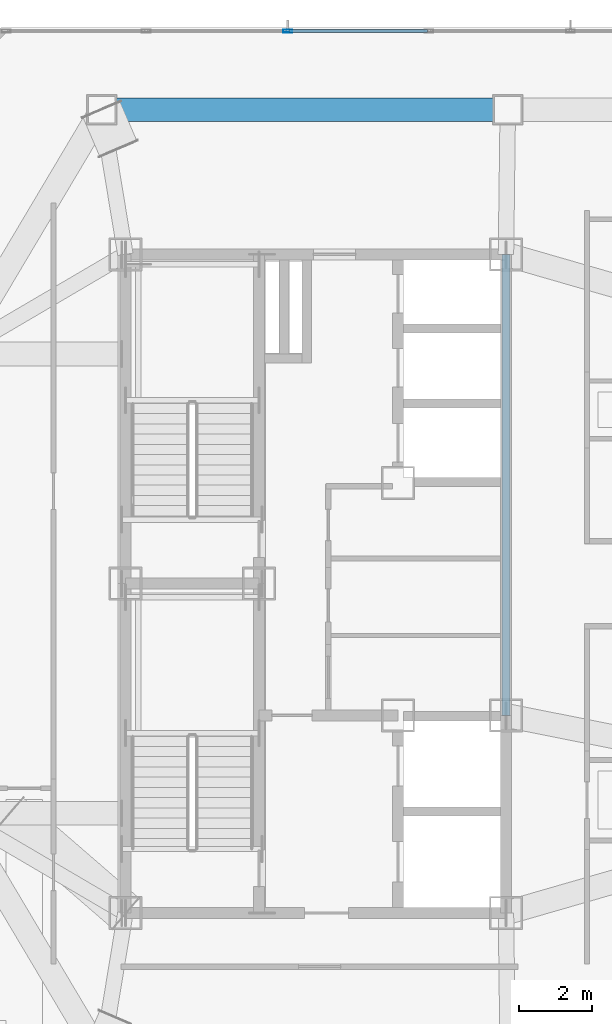
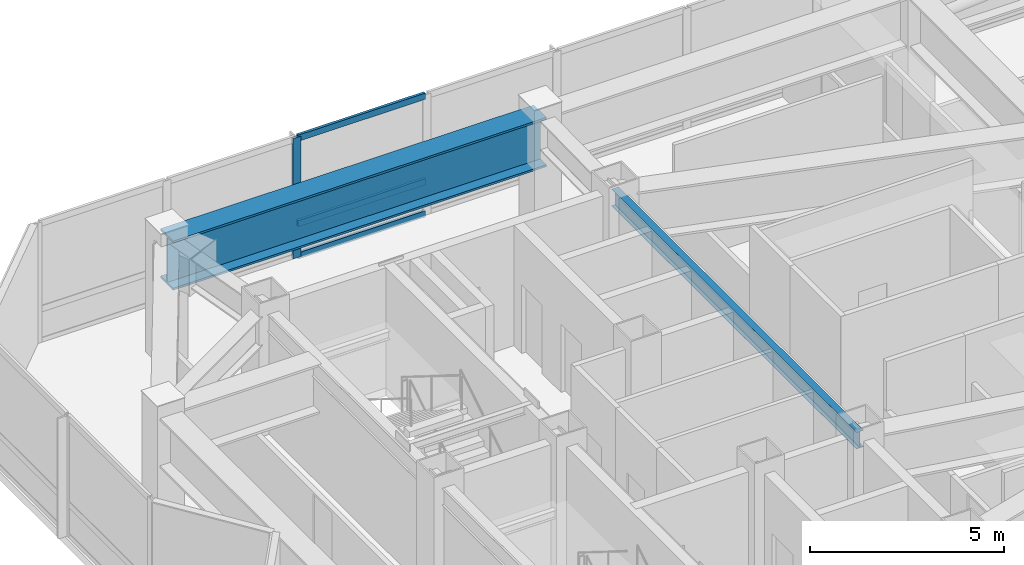
# One storey, part 3 of 16: 4 members, 2 beams, 1 element without a shape of its own.
"""IFC4 building model written with IfcOpenShell, lengths in metres."""

from ifc_helpers import new_model, si_unit, direction, frame, origin, origin_2d, place, context, subcontext, project, spatial, hollow_rectangle, i_section, extrude, material, material_profile, profile_set, type_object, element, aggregate, save


model = new_model("IFC4")

# Units and contexts
model_context = context("Model", 3, precision=1e-05, world=origin(), true_north=direction((0.0, 1.0)))
body_context = subcontext(model_context, "Body", "Model", "MODEL_VIEW")
ifc_project = project(units=[si_unit("LENGTHUNIT", "METRE"), si_unit("AREAUNIT", "SQUARE_METRE"), si_unit("VOLUMEUNIT", "CUBIC_METRE"), si_unit("PLANEANGLEUNIT", "RADIAN"), si_unit("MASSUNIT", "GRAM", prefix="KILO")], contexts=[model_context])

# Site, building, storey
site_placement = place(None, origin())
site = spatial("IfcSite", under=ifc_project, at=site_placement, CompositionType="ELEMENT")
building_placement = place(site_placement, origin())
building = spatial("IfcBuilding", under=site, at=building_placement, Name="Khamvora Tower", CompositionType="ELEMENT")
storey_placement = place(building_placement, frame((0.0, 0.0, 273.64990234375)))
storey = spatial("IfcBuildingStorey", under=building, at=storey_placement, Name="L70", CompositionType="ELEMENT", Elevation=273.64990234375)

# Beams
ifc_material_1 = material(Name="Steel S355", Category="steel")
ifc_material_profile_1 = material_profile(ifc_material_1, i_section(OverallWidth=0.208984375, OverallDepth=0.532958984375, WebThickness=0.010009765625, FlangeThickness=0.01611328125, FilletRadius=0.013916015625, at=origin_2d()), Name="W530x92")
ifc_profile_set_1 = profile_set([ifc_material_profile_1], Name="Steel S355")
beam_type_1 = type_object("IfcBeamType", Name="BM-SP-W530x92", PredefinedType="SPANDREL", material=ifc_profile_set_1)
beam_1_placement = place(storey_placement, frame((39.39990234375, 24.39990234375, 3.51318359375), z_axis=(0.0, 1.0, 0.0), x_axis=(-1.0, 0.0, 0.0)))
element("IfcBeam", 1, at=beam_1_placement, inside=storey, type_object=beam_type_1, Name="L70 core spine girder EN", PredefinedType="SPANDREL", context=body_context, shape_type="SweptSolid", body=[
    extrude(i_section(OverallWidth=0.208984375, OverallDepth=0.532958984375, WebThickness=0.010009765625, FlangeThickness=0.01611328125, FilletRadius=0.013916015625, at=origin_2d()), origin(), (0.0, 0.0, 1.0), 12.60009765625),
])
ifc_material_2 = material(Name="Steel S460", Category="steel")
ifc_material_profile_2 = material_profile(ifc_material_2, i_section(OverallWidth=0.64990234375, OverallDepth=1.550048828125, WebThickness=0.0400390625, FlangeThickness=0.06494140625, at=origin_2d()), Name="PG1550x650x40x65")
ifc_profile_set_2 = profile_set([ifc_material_profile_2], Name="Steel S460")
beam_type_2 = type_object("IfcBeamType", Name="BM-TG-PG1800", PredefinedType="BEAM", material=ifc_profile_set_2)
beam_2_placement = place(storey_placement, frame((39.449951171875, 40.949951171875, 3.005126953125), z_axis=(-1.0, 0.0, 0.0), x_axis=(0.0, -1.0, 0.0)))
element("IfcBeam", 2, at=beam_2_placement, inside=storey, type_object=beam_type_2, Name="L70 perimeter spandrel beam N2-N1", PredefinedType="BEAM", context=body_context, shape_type="SweptSolid", body=[
    extrude(i_section(OverallWidth=0.64990234375, OverallDepth=1.550048828125, WebThickness=0.0400390625, FlangeThickness=0.06494140625, at=origin_2d()), origin(), (0.0, 0.0, 1.0), 11.099853515625),
])

# Curtain wall, members
ifc_material_3 = material(Name="Anodised Aluminium 6063-T6", Category="aluminium")
curtain_wall_type = type_object("IfcCurtainWallType", Name="CW-SYS-06", PredefinedType="NOTDEFINED", material=ifc_material_3)
curtain_wall_placement = place(storey_placement, origin())
curtain_wall = element("IfcCurtainWall", 3, at=curtain_wall_placement, inside=storey, type_object=curtain_wall_type, Name="L70 stick curtain wall 07.1", PredefinedType="NOTDEFINED")
ifc_material_profile_3 = material_profile(ifc_material_3, hollow_rectangle(XDim=0.080078125, YDim=0.239990234375, WallThickness=0.0048828125, at=origin_2d()), Name="MUL80x240x5")
ifc_profile_set_3 = profile_set([ifc_material_profile_3], Name="Anodised Aluminium 6063-T6")
member_type_1 = type_object("IfcMemberType", Name="CW-SYS-06-MUL", PredefinedType="MULLION", material=ifc_profile_set_3)
member_1_placement = place(storey_placement, frame((33.433349609375, 43.10009765625, 0.0), z_axis=(0.0, 0.0, 1.0), x_axis=(0.0, 1.0, 0.0)))
member_1 = element("IfcMember", 4, at=member_1_placement, type_object=member_type_1, Name="CW-06 mullion 3", PredefinedType="MULLION", context=body_context, shape_type="SweptSolid", body=[
    extrude(hollow_rectangle(XDim=0.080078125, YDim=0.239990234375, WallThickness=0.0048828125, at=origin_2d()), origin(), (0.0, 0.0, 1.0), 3.780029296875),
])
ifc_material_profile_4 = material_profile(ifc_material_3, hollow_rectangle(XDim=0.080078125, YDim=0.195068359375, WallThickness=0.0048828125, at=origin_2d()), Name="TRN80x195x5")
ifc_profile_set_4 = profile_set([ifc_material_profile_4], Name="Anodised Aluminium 6063-T6")
member_type_2 = type_object("IfcMemberType", Name="CW-SYS-06-TRN", PredefinedType="USERDEFINED", material=ifc_profile_set_4)
member_2_placement = place(storey_placement, frame((33.473388671875, 43.10009765625, 0.0400390625), z_axis=(1.0, 0.0, 0.0), x_axis=(0.0, 1.0, 0.0)))
member_2 = element("IfcMember", 5, at=member_2_placement, type_object=member_type_2, Name="CW-06 transom 3.1", ObjectType="TRANSOM", PredefinedType="USERDEFINED", context=body_context, shape_type="SweptSolid", body=[
    extrude(hollow_rectangle(XDim=0.080078125, YDim=0.195068359375, WallThickness=0.0048828125, at=origin_2d()), origin(), (0.0, 0.0, 1.0), 3.78564453125),
])
member_3_placement = place(storey_placement, frame((33.473388671875, 43.10009765625, 1.050048828125), z_axis=(1.0, 0.0, 0.0), x_axis=(0.0, 1.0, 0.0)))
member_3 = element("IfcMember", 6, at=member_3_placement, type_object=member_type_2, Name="CW-06 transom 3.2", ObjectType="TRANSOM", PredefinedType="USERDEFINED", context=body_context, shape_type="SweptSolid", body=[
    extrude(hollow_rectangle(XDim=0.080078125, YDim=0.195068359375, WallThickness=0.0048828125, at=origin_2d()), origin(), (0.0, 0.0, 1.0), 3.78564453125),
])
member_4_placement = place(storey_placement, frame((33.473388671875, 43.10009765625, 3.739990234375), z_axis=(1.0, 0.0, 0.0), x_axis=(0.0, 1.0, 0.0)))
member_4 = element("IfcMember", 7, at=member_4_placement, type_object=member_type_2, Name="CW-06 transom 3.3", ObjectType="TRANSOM", PredefinedType="USERDEFINED", context=body_context, shape_type="SweptSolid", body=[
    extrude(hollow_rectangle(XDim=0.080078125, YDim=0.195068359375, WallThickness=0.0048828125, at=origin_2d()), origin(), (0.0, 0.0, 1.0), 3.78564453125),
])
aggregate(curtain_wall, [member_1, member_2, member_3, member_4])

save(model, "model.ifc")
